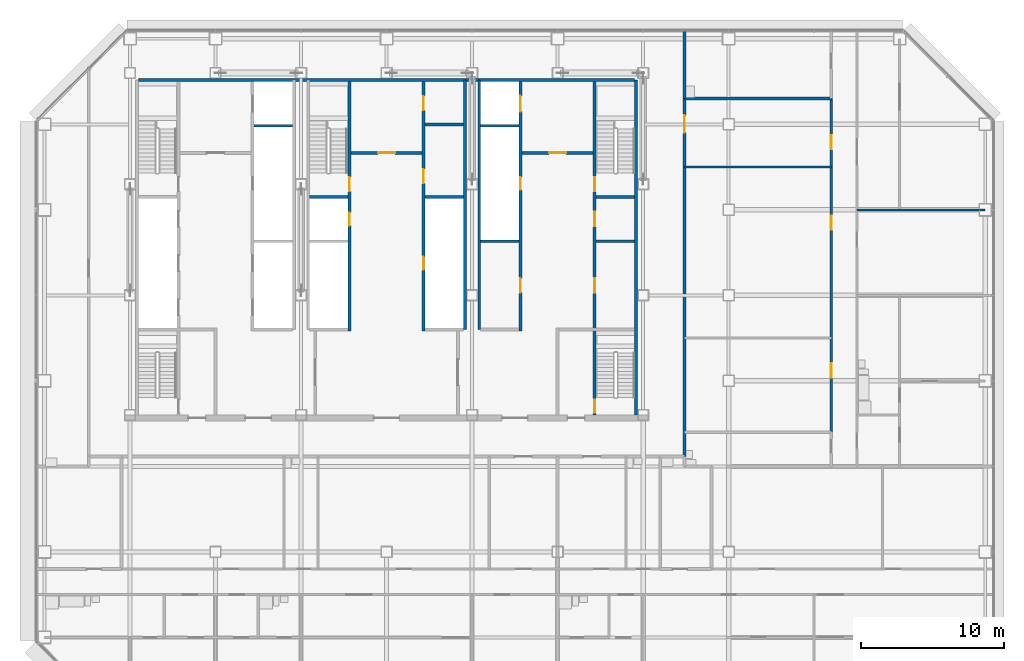
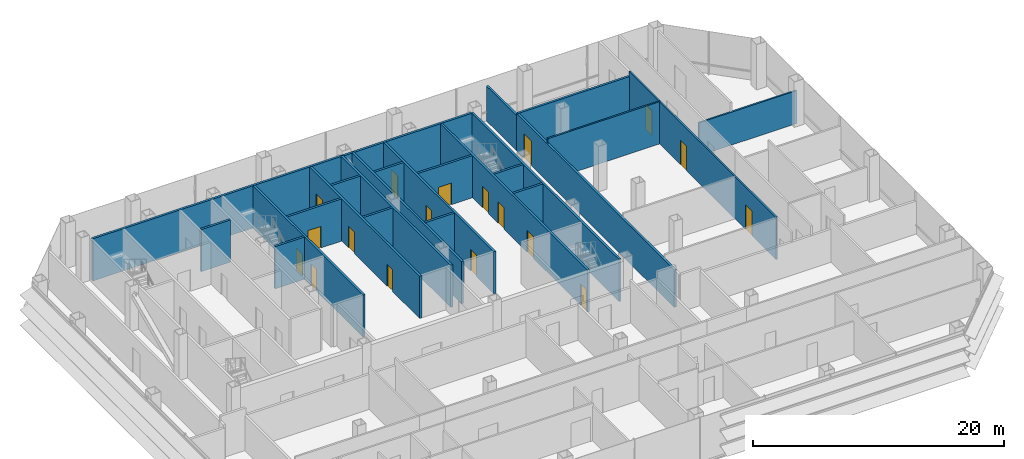
# One storey, part 23 of 27: 24 walls, 18 doors, 18 openings.
"""IFC4 building model written with IfcOpenShell, lengths in metres."""

from ifc_helpers import new_model, si_unit, direction, frame, frame_2d, origin, place, context, subcontext, project, spatial, rectangle, extrude, material, layer, layer_set, type_object, element, fill, save


model = new_model("IFC4")

# Units and contexts
model_context = context("Model", 3, precision=1e-05, world=origin(), true_north=direction((0.0, 1.0)))
body_context = subcontext(model_context, "Body", "Model", "MODEL_VIEW")
ifc_project = project(units=[si_unit("LENGTHUNIT", "METRE"), si_unit("AREAUNIT", "SQUARE_METRE"), si_unit("VOLUMEUNIT", "CUBIC_METRE"), si_unit("PLANEANGLEUNIT", "RADIAN"), si_unit("MASSUNIT", "GRAM", prefix="KILO")], contexts=[model_context])

# Site, building, storey
site_placement = place(None, origin())
site = spatial("IfcSite", under=ifc_project, at=site_placement, CompositionType="ELEMENT")
building_placement = place(site_placement, origin())
building = spatial("IfcBuilding", under=site, at=building_placement, Name="Sorahane Residences", CompositionType="ELEMENT")
storey_placement = place(building_placement, frame((0.0, 0.0, 85.800048828125)))
storey = spatial("IfcBuildingStorey", under=building, at=storey_placement, Name="L18", CompositionType="ELEMENT", Elevation=85.800048828125)

# Walls
ifc_material_1 = material(Name="Concrete C30", Category="concrete")
ifc_layer_1 = layer(ifc_material_1, 0.199951171875)
ifc_layer_set_1 = layer_set([ifc_layer_1], Name="Core face wall 200 EI 180")
wall_type_1 = type_object("IfcWallType", Name="Core face wall 200 EI 180", PredefinedType="SOLIDWALL", material=ifc_layer_set_1)
wall_1_placement = place(storey_placement, frame((41.5, 21.60009765625, 0.0), z_axis=(0.0, 0.0, 1.0), x_axis=(0.0, 1.0, 0.0)))
element("IfcWall", 1, at=wall_1_placement, inside=storey, type_object=wall_type_1, Name="L18 core face wall", PredefinedType="SOLIDWALL", context=body_context, shape_type="SweptSolid", body=[
    extrude(rectangle(XDim=23.5, YDim=0.199951171875, at=frame_2d((11.75, 0.0))), origin(), (0.0, 0.0, 1.0), 4.099853515625),
])
wall_2_placement = place(storey_placement, frame((6.60009765625, 45.10009765625, 0.0), z_axis=(0.0, 0.0, 1.0), x_axis=(1.0, 0.0, 0.0)))
element("IfcWall", 2, at=wall_2_placement, inside=storey, type_object=wall_type_1, Name="L18 core face wall", PredefinedType="SOLIDWALL", context=body_context, shape_type="SweptSolid", body=[
    extrude(rectangle(XDim=34.7998046875, YDim=0.199951171875, at=frame_2d((17.39990234375, 0.0))), origin(), (0.0, 0.0, 1.0), 4.099853515625),
])
for number, where, z_axis, x_axis, name in (
    (3, (29.5, 27.60009765625, 0.0), (0.0, 0.0, 1.0), (0.0, 1.0, 0.0), "L18 core face wall"),
    (4, (30.5, 27.60009765625, 0.0), (0.0, 0.0, 1.0), (0.0, 1.0, 0.0), "L18 core face wall"),
):
    element("IfcWall", number, at=place(storey_placement, frame(where, z_axis=z_axis, x_axis=x_axis)), inside=storey, type_object=wall_type_1, Name=name, PredefinedType="SOLIDWALL", context=body_context, shape_type="SweptSolid", body=[
        extrude(rectangle(XDim=17.5, YDim=0.199951171875, at=frame_2d((8.75, 0.0))), origin(), (0.0, 0.0, 1.0), 4.099853515625),
    ])

# Wall, opening, door
ifc_material_2 = material(Name="Concrete blockwork C20 wall", Category="masonry")
ifc_layer_2 = layer(ifc_material_2, 0.199951171875)
ifc_layer_set_2 = layer_set([ifc_layer_2], Name="Corridor wall 200 EI 120")
wall_type_2 = type_object("IfcWallType", Name="Corridor wall 200 EI 120", PredefinedType="SOLIDWALL", material=ifc_layer_set_2)
wall_3_placement = place(storey_placement, frame((44.89990234375, 18.699951171875, 0.0), z_axis=(0.0, 0.0, 1.0), x_axis=(0.0, 1.0, 0.0)))
wall_3 = element("IfcWall", 5, at=wall_3_placement, inside=storey, type_object=wall_type_2, Name="L18 corridor wall", PredefinedType="SOLIDWALL", context=body_context, shape_type="SweptSolid", body=[
    extrude(rectangle(XDim=25.10009765625, YDim=0.199951171875, at=frame_2d((12.550048828125, 0.0))), origin(), (0.0, 0.0, 1.0), 3.64990234375),
])
opening_1_placement = place(wall_3_placement, frame((22.719970703125, 0.0, 0.0)))
opening_1 = element("IfcOpeningElement", 6, at=opening_1_placement, cuts=wall_3, Name="Opening L18-42", PredefinedType="OPENING", context=body_context, shape_type="SweptSolid", body=[
    extrude(rectangle(XDim=1.199951171875, YDim=2.39990234375, at=frame_2d((0.60009765625, 1.199951171875))), frame((0.0, 0.10986328125, 0.0), z_axis=(0.0, -1.0, 0.0), x_axis=(1.0, 0.0, 0.0)), (0.0, 0.0, 1.0), 0.219970703125),
])
ifc_material_3 = material(Name="Timber veneered fire door", Category="wood")
door_type_1 = type_object("IfcDoorType", Name="Flat entrance door 1200x2400 FD60", OperationType="NOTDEFINED", PredefinedType="DOOR", material=ifc_material_3)
door_1_placement = place(opening_1_placement, frame((1.199951171875, 0.0, 0.0), z_axis=(0.0, 0.0, 1.0), x_axis=(-1.0, 0.0, 0.0)))
door_1 = element("IfcDoor", 7, at=door_1_placement, inside=storey, type_object=door_type_1, Name="Flat entrance door L18-42", OperationType="SINGLE_SWING_RIGHT", OverallHeight=2.39990234375, OverallWidth=1.199951171875, PredefinedType="DOOR", context=body_context, shape_type="SweptSolid", body=[
    extrude(rectangle(XDim=1.199951171875, YDim=2.39990234375, at=frame_2d((0.60009765625, 1.199951171875))), frame((0.0, 0.02490234375, 0.0), z_axis=(0.0, -1.0, 0.0), x_axis=(1.0, 0.0, 0.0)), (0.0, 0.0, 1.0), 0.050048828125),
])
fill(opening_1, door_1)

ifc_material_4 = material(Name="Concrete C30", Category="concrete")
ifc_layer_3 = layer(ifc_material_4, 0.199951171875)
ifc_layer_set_3 = layer_set([ifc_layer_3], Name="Front room wall 200 EI 120")
wall_type_3 = type_object("IfcWallType", Name="Front room wall 200 EI 120", PredefinedType="PARTITIONING", material=ifc_layer_set_3)
wall_4_placement = place(storey_placement, frame((21.5, 40.0, 0.0), z_axis=(0.0, 0.0, 1.0), x_axis=(1.0, 0.0, 0.0)))
wall_4 = element("IfcWall", 8, at=wall_4_placement, inside=storey, type_object=wall_type_3, Name="L18 front room wall", PredefinedType="PARTITIONING", context=body_context, shape_type="SweptSolid", body=[
    extrude(rectangle(XDim=5.0, YDim=0.199951171875, at=frame_2d((2.5, 0.0))), origin(), (0.0, 0.0, 1.0), 4.099853515625),
])
opening_2_placement = place(wall_4_placement, frame((1.89990234375, 0.0, 0.0)))
opening_2 = element("IfcOpeningElement", 9, at=opening_2_placement, cuts=wall_4, Name="Opening L18-C09", PredefinedType="OPENING", context=body_context, shape_type="SweptSolid", body=[
    extrude(rectangle(XDim=1.199951171875, YDim=2.10009765625, at=frame_2d((0.60009765625, 1.050048828125))), frame((0.0, 0.10986328125, 0.0), z_axis=(0.0, -1.0, 0.0), x_axis=(1.0, 0.0, 0.0)), (0.0, 0.0, 1.0), 0.219970703125),
])
ifc_material_5 = material(Name="Steel", Category="steel")
door_type_2 = type_object("IfcDoorType", Name="Front room door 1200x2100 FD120", OperationType="NOTDEFINED", PredefinedType="DOOR", material=ifc_material_5)
door_2_placement = place(opening_2_placement, frame((1.199951171875, 0.0, 0.0), z_axis=(0.0, 0.0, 1.0), x_axis=(-1.0, 0.0, 0.0)))
door_2 = element("IfcDoor", 10, at=door_2_placement, inside=storey, type_object=door_type_2, Name="Front room door Stair S3 vestibule L18", OperationType="DOUBLE_DOOR_SINGLE_SWING", OverallHeight=2.10009765625, OverallWidth=1.199951171875, PredefinedType="DOOR", context=body_context, shape_type="SweptSolid", body=[
    extrude(rectangle(XDim=1.199951171875, YDim=2.10009765625, at=frame_2d((0.60009765625, 1.050048828125))), frame((0.0, 0.02490234375, 0.0), z_axis=(0.0, -1.0, 0.0), x_axis=(1.0, 0.0, 0.0)), (0.0, 0.0, 1.0), 0.050048828125),
])
fill(opening_2, door_2)

wall_5_placement = place(storey_placement, frame((33.5, 40.0, 0.0), z_axis=(0.0, 0.0, 1.0), x_axis=(1.0, 0.0, 0.0)))
wall_5 = element("IfcWall", 11, at=wall_5_placement, inside=storey, type_object=wall_type_3, Name="L18 front room wall", PredefinedType="PARTITIONING", context=body_context, shape_type="SweptSolid", body=[
    extrude(rectangle(XDim=5.0, YDim=0.199951171875, at=frame_2d((2.5, 0.0))), origin(), (0.0, 0.0, 1.0), 4.099853515625),
])
opening_3_placement = place(wall_5_placement, frame((1.89990234375, 0.0, 0.0)))
opening_3 = element("IfcOpeningElement", 12, at=opening_3_placement, cuts=wall_5, Name="Opening L18-C10", PredefinedType="OPENING", context=body_context, shape_type="SweptSolid", body=[
    extrude(rectangle(XDim=1.199951171875, YDim=2.10009765625, at=frame_2d((0.60009765625, 1.050048828125))), frame((0.0, 0.10986328125, 0.0), z_axis=(0.0, -1.0, 0.0), x_axis=(1.0, 0.0, 0.0)), (0.0, 0.0, 1.0), 0.219970703125),
])
door_3_placement = place(opening_3_placement, frame((1.199951171875, 0.0, 0.0), z_axis=(0.0, 0.0, 1.0), x_axis=(-1.0, 0.0, 0.0)))
door_3 = element("IfcDoor", 13, at=door_3_placement, inside=storey, type_object=door_type_2, Name="Front room door Firefighting lobby FF2 front room L18", OperationType="DOUBLE_DOOR_SINGLE_SWING", OverallHeight=2.10009765625, OverallWidth=1.199951171875, PredefinedType="DOOR", context=body_context, shape_type="SweptSolid", body=[
    extrude(rectangle(XDim=1.199951171875, YDim=2.10009765625, at=frame_2d((0.60009765625, 1.050048828125))), frame((0.0, 0.02490234375, 0.0), z_axis=(0.0, -1.0, 0.0), x_axis=(1.0, 0.0, 0.0)), (0.0, 0.0, 1.0), 0.050048828125),
])
fill(opening_3, door_3)

# Walls
ifc_material_6 = material(Name="Concrete blockwork C20 wall", Category="masonry")
ifc_layer_4 = layer(ifc_material_6, 0.199951171875)
ifc_layer_set_4 = layer_set([ifc_layer_4], Name="Kitchen wall 200 EI 180")
wall_type_4 = type_object("IfcWallType", Name="Kitchen wall 200 EI 180", PredefinedType="SOLIDWALL", material=ifc_layer_set_4)
wall_6_placement = place(storey_placement, frame((44.89990234375, 43.800048828125, 0.0), z_axis=(0.0, 0.0, 1.0), x_axis=(0.0, 1.0, 0.0)))
element("IfcWall", 14, at=wall_6_placement, inside=storey, type_object=wall_type_4, Name="L18 kitchen wall", PredefinedType="SOLIDWALL", context=body_context, shape_type="SweptSolid", body=[
    extrude(rectangle(XDim=4.800048828125, YDim=0.199951171875, at=frame_2d((2.39990234375, 0.0))), origin(), (0.0, 0.0, 1.0), 3.39990234375),
])
wall_7_placement = place(storey_placement, frame((44.89990234375, 43.800048828125, 0.0), z_axis=(0.0, 0.0, 1.0), x_axis=(1.0, 0.0, 0.0)))
element("IfcWall", 15, at=wall_7_placement, inside=storey, type_object=wall_type_4, Name="L18 kitchen wall", PredefinedType="SOLIDWALL", context=body_context, shape_type="SweptSolid", body=[
    extrude(rectangle(XDim=10.300048828125, YDim=0.199951171875, at=frame_2d((5.14990234375, 0.0))), origin(), (0.0, 0.0, 1.0), 3.64990234375),
])

# Wall, openings, doors
ifc_material_7 = material(Name="Concrete C30", Category="concrete")
ifc_layer_5 = layer(ifc_material_7, 0.199951171875)
ifc_layer_set_5 = layer_set([ifc_layer_5], Name="Lift shaft wall 200 EI 120")
wall_type_5 = type_object("IfcWallType", Name="Lift shaft wall 200 EI 120", PredefinedType="SOLIDWALL", material=ifc_layer_set_5)
wall_8_placement = place(storey_placement, frame((33.39990234375, 27.5, 0.0), z_axis=(0.0, 0.0, 1.0), x_axis=(0.0, 1.0, 0.0)))
wall_8 = element("IfcWall", 16, at=wall_8_placement, inside=storey, type_object=wall_type_5, Name="L18 lift shaft wall", PredefinedType="SOLIDWALL", context=body_context, shape_type="SweptSolid", body=[
    extrude(rectangle(XDim=17.5, YDim=0.199951171875, at=frame_2d((8.75, 0.0))), origin(), (0.0, 0.0, 1.0), 4.099853515625),
])
opening_4_placement = place(wall_8_placement, frame((15.39990234375, 0.0, 0.0)))
opening_4 = element("IfcOpeningElement", 17, at=opening_4_placement, cuts=wall_8, Name="Opening L18-C11", PredefinedType="OPENING", context=body_context, shape_type="SweptSolid", body=[
    extrude(rectangle(XDim=1.10009765625, YDim=2.10009765625, at=frame_2d((0.550048828125, 1.050048828125))), frame((0.0, 0.10986328125, 0.0), z_axis=(0.0, -1.0, 0.0), x_axis=(1.0, 0.0, 0.0)), (0.0, 0.0, 1.0), 0.219970703125),
])
opening_5_placement = place(wall_8_placement, frame((2.699951171875, 0.0, 0.0)))
opening_5 = element("IfcOpeningElement", 18, at=opening_5_placement, cuts=wall_8, Name="Opening L18-C20", PredefinedType="OPENING", context=body_context, shape_type="SweptSolid", body=[
    extrude(rectangle(XDim=1.0, YDim=2.10009765625, at=frame_2d((0.5, 1.050048828125))), frame((0.0, 0.10986328125, 0.0), z_axis=(0.0, -1.0, 0.0), x_axis=(1.0, 0.0, 0.0)), (0.0, 0.0, 1.0), 0.219970703125),
])
opening_6_placement = place(wall_8_placement, frame((9.89990234375, 0.0, 0.0)))
opening_6 = element("IfcOpeningElement", 19, at=opening_6_placement, cuts=wall_8, Name="Opening L18-C27", PredefinedType="OPENING", context=body_context, shape_type="SweptSolid", body=[
    extrude(rectangle(XDim=0.89990234375, YDim=2.10009765625, at=frame_2d((0.449951171875, 1.050048828125))), frame((0.0, 0.10986328125, 0.0), z_axis=(0.0, -1.0, 0.0), x_axis=(1.0, 0.0, 0.0)), (0.0, 0.0, 1.0), 0.219970703125),
])
ifc_material_8 = material(Name="Aluminium and stainless steel", Category="steel")
door_type_3 = type_object("IfcDoorType", Name="Lift landing door 1100x2100 E 60", OperationType="NOTDEFINED", PredefinedType="DOOR", material=ifc_material_8)
door_4_placement = place(opening_4_placement, origin())
door_4 = element("IfcDoor", 20, at=door_4_placement, inside=storey, type_object=door_type_3, Name="Lift landing door FF2 L18", OperationType="DOUBLE_DOOR_SLIDING", OverallHeight=2.10009765625, OverallWidth=1.10009765625, PredefinedType="DOOR", context=body_context, shape_type="SweptSolid", body=[
    extrude(rectangle(XDim=1.10009765625, YDim=2.10009765625, at=frame_2d((0.550048828125, 1.050048828125))), frame((0.0, 0.02490234375, 0.0), z_axis=(0.0, -1.0, 0.0), x_axis=(1.0, 0.0, 0.0)), (0.0, 0.0, 1.0), 0.050048828125),
])
fill(opening_4, door_4)
ifc_material_9 = material(Name="Steel", Category="steel")
door_type_4 = type_object("IfcDoorType", Name="Riser door 900x2100 FD120", OperationType="NOTDEFINED", PredefinedType="DOOR", material=ifc_material_9)
door_5_placement = place(opening_6_placement, frame((0.89990234375, 0.0, 0.0), z_axis=(0.0, 0.0, 1.0), x_axis=(-1.0, 0.0, 0.0)))
door_5 = element("IfcDoor", 21, at=door_5_placement, inside=storey, type_object=door_type_4, Name="Riser door R2 L18", OperationType="SINGLE_SWING_LEFT", OverallHeight=2.10009765625, OverallWidth=0.89990234375, PredefinedType="DOOR", context=body_context, shape_type="SweptSolid", body=[
    extrude(rectangle(XDim=0.89990234375, YDim=2.10009765625, at=frame_2d((0.449951171875, 1.050048828125))), frame((0.0, 0.02490234375, 0.0), z_axis=(0.0, -1.0, 0.0), x_axis=(1.0, 0.0, 0.0)), (0.0, 0.0, 1.0), 0.050048828125),
])
fill(opening_6, door_5)
ifc_material_10 = material(Name="Steel", Category="steel")
door_type_5 = type_object("IfcDoorType", Name="Service room door 1000x2100 FD60", OperationType="NOTDEFINED", PredefinedType="DOOR", material=ifc_material_10)
door_6_placement = place(opening_5_placement, origin())
door_6 = element("IfcDoor", 22, at=door_6_placement, inside=storey, type_object=door_type_5, Name="Service room door Cinema room L18", OperationType="SINGLE_SWING_RIGHT", OverallHeight=2.10009765625, OverallWidth=1.0, PredefinedType="DOOR", context=body_context, shape_type="SweptSolid", body=[
    extrude(rectangle(XDim=1.0, YDim=2.10009765625, at=frame_2d((0.5, 1.050048828125))), frame((0.0, 0.02490234375, 0.0), z_axis=(0.0, -1.0, 0.0), x_axis=(1.0, 0.0, 0.0)), (0.0, 0.0, 1.0), 0.050048828125),
])
fill(opening_5, door_6)

# Walls
for number, where, z_axis, x_axis, name in (
    (23, (14.699951171875, 41.89990234375, 0.0), (0.0, 0.0, 1.0), (1.0, 0.0, 0.0), "L18 lift shaft wall"),
    (24, (30.60009765625, 41.89990234375, 0.0), (0.0, 0.0, 1.0), (1.0, 0.0, 0.0), "L18 lift shaft wall"),
):
    element("IfcWall", number, at=place(storey_placement, frame(where, z_axis=z_axis, x_axis=x_axis)), inside=storey, type_object=wall_type_5, Name=name, PredefinedType="SOLIDWALL", context=body_context, shape_type="SweptSolid", body=[
        extrude(rectangle(XDim=2.699951171875, YDim=0.199951171875, at=frame_2d((1.35009765625, 0.0))), origin(), (0.0, 0.0, 1.0), 4.099853515625),
    ])

# Wall, openings, doors
ifc_material_11 = material(Name="Gypsum board partition on steel studs", Category="steel")
ifc_layer_6 = layer(ifc_material_11, 0.14990234375)
ifc_layer_set_6 = layer_set([ifc_layer_6], Name="Partition 150 EI 90")
wall_type_6 = type_object("IfcWallType", Name="Partition 150 EI 90", PredefinedType="PARTITIONING", material=ifc_layer_set_6)
wall_9_placement = place(storey_placement, frame((55.199951171875, 20.39990234375, 0.0), z_axis=(0.0, 0.0, 1.0), x_axis=(0.0, 1.0, 0.0)))
wall_9 = element("IfcWall", 25, at=wall_9_placement, inside=storey, type_object=wall_type_6, Name="L18 partition", PredefinedType="PARTITIONING", context=body_context, shape_type="SweptSolid", body=[
    extrude(rectangle(XDim=23.400146484375, YDim=0.14990234375, at=frame_2d((11.7001953125, 0.0))), origin(), (0.0, 0.0, 1.0), 4.099853515625),
])
opening_7_placement = place(wall_9_placement, frame((19.840087890625, 0.0, 0.0)))
opening_7 = element("IfcOpeningElement", 26, at=opening_7_placement, cuts=wall_9, Name="Opening L18-28", PredefinedType="OPENING", context=body_context, shape_type="SweptSolid", body=[
    extrude(rectangle(XDim=1.0, YDim=2.39990234375, at=frame_2d((0.5, 1.199951171875))), frame((0.0, 0.0849609375, 0.0), z_axis=(0.0, -1.0, 0.0), x_axis=(1.0, 0.0, 0.0)), (0.0, 0.0, 1.0), 0.169921875),
])
opening_8_placement = place(wall_9_placement, frame((3.820068359375, 0.0, 0.0)))
opening_8 = element("IfcOpeningElement", 27, at=opening_8_placement, cuts=wall_9, Name="Opening L18-30", PredefinedType="OPENING", context=body_context, shape_type="SweptSolid", body=[
    extrude(rectangle(XDim=1.0, YDim=2.39990234375, at=frame_2d((0.5, 1.199951171875))), frame((0.0, 0.0849609375, 0.0), z_axis=(0.0, -1.0, 0.0), x_axis=(1.0, 0.0, 0.0)), (0.0, 0.0, 1.0), 0.169921875),
])
opening_9_placement = place(wall_9_placement, frame((14.199951171875, 0.0, 0.0)))
opening_9 = element("IfcOpeningElement", 28, at=opening_9_placement, cuts=wall_9, Name="Opening L18-31", PredefinedType="OPENING", context=body_context, shape_type="SweptSolid", body=[
    extrude(rectangle(XDim=1.0, YDim=2.39990234375, at=frame_2d((0.5, 1.199951171875))), frame((0.0, 0.0849609375, 0.0), z_axis=(0.0, -1.0, 0.0), x_axis=(1.0, 0.0, 0.0)), (0.0, 0.0, 1.0), 0.169921875),
])
ifc_material_12 = material(Name="Timber veneered fire door", Category="wood")
door_type_6 = type_object("IfcDoorType", Name="Room door 1000x2400 FD30", OperationType="NOTDEFINED", PredefinedType="DOOR", material=ifc_material_12)
door_7_placement = place(opening_7_placement, frame((1.0, 0.0, 0.0), z_axis=(0.0, 0.0, 1.0), x_axis=(-1.0, 0.0, 0.0)))
door_7 = element("IfcDoor", 29, at=door_7_placement, inside=storey, type_object=door_type_6, Name="Room door L18-28", OperationType="SINGLE_SWING_RIGHT", OverallHeight=2.39990234375, OverallWidth=1.0, PredefinedType="DOOR", context=body_context, shape_type="SweptSolid", body=[
    extrude(rectangle(XDim=1.0, YDim=2.39990234375, at=frame_2d((0.5, 1.199951171875))), frame((0.0, 0.02490234375, 0.0), z_axis=(0.0, -1.0, 0.0), x_axis=(1.0, 0.0, 0.0)), (0.0, 0.0, 1.0), 0.050048828125),
])
fill(opening_7, door_7)
door_8_placement = place(opening_8_placement, origin())
door_8 = element("IfcDoor", 30, at=door_8_placement, inside=storey, type_object=door_type_6, Name="Room door L18-30", OperationType="SINGLE_SWING_LEFT", OverallHeight=2.39990234375, OverallWidth=1.0, PredefinedType="DOOR", context=body_context, shape_type="SweptSolid", body=[
    extrude(rectangle(XDim=1.0, YDim=2.39990234375, at=frame_2d((0.5, 1.199951171875))), frame((0.0, 0.02490234375, 0.0), z_axis=(0.0, -1.0, 0.0), x_axis=(1.0, 0.0, 0.0)), (0.0, 0.0, 1.0), 0.050048828125),
])
fill(opening_8, door_8)
door_9_placement = place(opening_9_placement, origin())
door_9 = element("IfcDoor", 31, at=door_9_placement, inside=storey, type_object=door_type_6, Name="Room door L18-31", OperationType="SINGLE_SWING_RIGHT", OverallHeight=2.39990234375, OverallWidth=1.0, PredefinedType="DOOR", context=body_context, shape_type="SweptSolid", body=[
    extrude(rectangle(XDim=1.0, YDim=2.39990234375, at=frame_2d((0.5, 1.199951171875))), frame((0.0, 0.02490234375, 0.0), z_axis=(0.0, -1.0, 0.0), x_axis=(1.0, 0.0, 0.0)), (0.0, 0.0, 1.0), 0.050048828125),
])
fill(opening_9, door_9)

# Walls
wall_10_placement = place(storey_placement, frame((57.0, 36.0, 0.0), z_axis=(0.0, 0.0, 1.0), x_axis=(1.0, 0.0, 0.0)))
element("IfcWall", 32, at=wall_10_placement, inside=storey, type_object=wall_type_6, Name="L18 partition", PredefinedType="PARTITIONING", context=body_context, shape_type="SweptSolid", body=[
    extrude(rectangle(XDim=9.0, YDim=0.14990234375, at=frame_2d((4.5, 0.0))), origin(), (0.0, 0.0, 1.0), 3.199951171875),
])
wall_11_placement = place(storey_placement, frame((44.89990234375, 39.0, 0.0), z_axis=(0.0, 0.0, 1.0), x_axis=(1.0, 0.0, 0.0)))
element("IfcWall", 33, at=wall_11_placement, inside=storey, type_object=wall_type_6, Name="L18 partition", PredefinedType="PARTITIONING", context=body_context, shape_type="SweptSolid", body=[
    extrude(rectangle(XDim=10.300048828125, YDim=0.14990234375, at=frame_2d((5.14990234375, 0.0))), origin(), (0.0, 0.0, 1.0), 4.099853515625),
])

# Wall, openings, doors
ifc_material_13 = material(Name="Concrete C30", Category="concrete")
ifc_layer_7 = layer(ifc_material_13, 0.199951171875)
ifc_layer_set_7 = layer_set([ifc_layer_7], Name="Riser shaft wall 200 EI 120")
wall_type_7 = type_object("IfcWallType", Name="Riser shaft wall 200 EI 120", PredefinedType="SOLIDWALL", material=ifc_layer_set_7)
wall_12_placement = place(storey_placement, frame((26.60009765625, 27.5, 0.0), z_axis=(0.0, 0.0, 1.0), x_axis=(0.0, 1.0, 0.0)))
wall_12 = element("IfcWall", 34, at=wall_12_placement, inside=storey, type_object=wall_type_7, Name="L18 riser wall", PredefinedType="SOLIDWALL", context=body_context, shape_type="SweptSolid", body=[
    extrude(rectangle(XDim=17.5, YDim=0.199951171875, at=frame_2d((8.75, 0.0))), origin(), (0.0, 0.0, 1.0), 4.099853515625),
])
opening_10_placement = place(wall_12_placement, frame((4.300048828125, 0.0, 0.0)))
opening_10 = element("IfcOpeningElement", 35, at=opening_10_placement, cuts=wall_12, Name="Opening L18-C29", PredefinedType="OPENING", context=body_context, shape_type="SweptSolid", body=[
    extrude(rectangle(XDim=0.89990234375, YDim=2.10009765625, at=frame_2d((0.449951171875, 1.050048828125))), frame((0.0, 0.10986328125, 0.0), z_axis=(0.0, -1.0, 0.0), x_axis=(1.0, 0.0, 0.0)), (0.0, 0.0, 1.0), 0.219970703125),
])
opening_11_placement = place(wall_12_placement, frame((10.35009765625, 0.0, 0.0)))
opening_11 = element("IfcOpeningElement", 36, at=opening_11_placement, cuts=wall_12, Name="Opening L18-C30", PredefinedType="OPENING", context=body_context, shape_type="SweptSolid", body=[
    extrude(rectangle(XDim=1.0, YDim=2.10009765625, at=frame_2d((0.5, 1.050048828125))), frame((0.0, 0.10986328125, 0.0), z_axis=(0.0, -1.0, 0.0), x_axis=(1.0, 0.0, 0.0)), (0.0, 0.0, 1.0), 0.219970703125),
])
opening_12_placement = place(wall_12_placement, frame((15.47509765625, 0.0, 0.0)))
opening_12 = element("IfcOpeningElement", 37, at=opening_12_placement, cuts=wall_12, Name="Opening L18-C31", PredefinedType="OPENING", context=body_context, shape_type="SweptSolid", body=[
    extrude(rectangle(XDim=1.0, YDim=2.10009765625, at=frame_2d((0.5, 1.050048828125))), frame((0.0, 0.10986328125, 0.0), z_axis=(0.0, -1.0, 0.0), x_axis=(1.0, 0.0, 0.0)), (0.0, 0.0, 1.0), 0.219970703125),
])
door_10_placement = place(opening_10_placement, origin())
door_10 = element("IfcDoor", 38, at=door_10_placement, inside=storey, type_object=door_type_4, Name="Riser door R4 L18", OperationType="SINGLE_SWING_LEFT", OverallHeight=2.10009765625, OverallWidth=0.89990234375, PredefinedType="DOOR", context=body_context, shape_type="SweptSolid", body=[
    extrude(rectangle(XDim=0.89990234375, YDim=2.10009765625, at=frame_2d((0.449951171875, 1.050048828125))), frame((0.0, 0.02490234375, 0.0), z_axis=(0.0, -1.0, 0.0), x_axis=(1.0, 0.0, 0.0)), (0.0, 0.0, 1.0), 0.050048828125),
])
fill(opening_10, door_10)
door_11_placement = place(opening_11_placement, frame((1.0, 0.0, 0.0), z_axis=(0.0, 0.0, 1.0), x_axis=(-1.0, 0.0, 0.0)))
door_11 = element("IfcDoor", 39, at=door_11_placement, inside=storey, type_object=door_type_5, Name="Service room door Parcel room L18", OperationType="SINGLE_SWING_LEFT", OverallHeight=2.10009765625, OverallWidth=1.0, PredefinedType="DOOR", context=body_context, shape_type="SweptSolid", body=[
    extrude(rectangle(XDim=1.0, YDim=2.10009765625, at=frame_2d((0.5, 1.050048828125))), frame((0.0, 0.02490234375, 0.0), z_axis=(0.0, -1.0, 0.0), x_axis=(1.0, 0.0, 0.0)), (0.0, 0.0, 1.0), 0.050048828125),
])
fill(opening_11, door_11)
door_12_placement = place(opening_12_placement, frame((1.0, 0.0, 0.0), z_axis=(0.0, 0.0, 1.0), x_axis=(-1.0, 0.0, 0.0)))
door_12 = element("IfcDoor", 40, at=door_12_placement, inside=storey, type_object=door_type_5, Name="Service room door Refuse room L18", OperationType="SINGLE_SWING_RIGHT", OverallHeight=2.10009765625, OverallWidth=1.0, PredefinedType="DOOR", context=body_context, shape_type="SweptSolid", body=[
    extrude(rectangle(XDim=1.0, YDim=2.10009765625, at=frame_2d((0.5, 1.050048828125))), frame((0.0, 0.02490234375, 0.0), z_axis=(0.0, -1.0, 0.0), x_axis=(1.0, 0.0, 0.0)), (0.0, 0.0, 1.0), 0.050048828125),
])
fill(opening_12, door_12)

# Walls
for number, where, z_axis, x_axis, name in (
    (41, (30.60009765625, 33.800048828125, 0.0), (0.0, 0.0, 1.0), (1.0, 0.0, 0.0), "L18 riser wall"),
    (42, (26.699951171875, 36.89990234375, 0.0), (0.0, 0.0, 1.0), (1.0, 0.0, 0.0), "L18 riser wall"),
):
    element("IfcWall", number, at=place(storey_placement, frame(where, z_axis=z_axis, x_axis=x_axis)), inside=storey, type_object=wall_type_7, Name=name, PredefinedType="SOLIDWALL", context=body_context, shape_type="SweptSolid", body=[
        extrude(rectangle(XDim=2.699951171875, YDim=0.199951171875, at=frame_2d((1.35009765625, 0.0))), origin(), (0.0, 0.0, 1.0), 4.099853515625),
    ])
ifc_material_14 = material(Name="Concrete C30", Category="concrete")
ifc_layer_8 = layer(ifc_material_14, 0.199951171875)
ifc_layer_set_8 = layer_set([ifc_layer_8], Name="Service room partition 200 EI 60")
wall_type_8 = type_object("IfcWallType", Name="Service room partition 200 EI 60", PredefinedType="PARTITIONING", material=ifc_layer_set_8)
for number, where, z_axis, x_axis, name in (
    (43, (38.699951171875, 33.800048828125, 0.0), (0.0, 0.0, 1.0), (1.0, 0.0, 0.0), "L18 service room wall"),
    (44, (26.699951171875, 42.0, 0.0), (0.0, 0.0, 1.0), (1.0, 0.0, 0.0), "L18 service room wall"),
):
    element("IfcWall", number, at=place(storey_placement, frame(where, z_axis=z_axis, x_axis=x_axis)), inside=storey, type_object=wall_type_8, Name=name, PredefinedType="PARTITIONING", context=body_context, shape_type="SweptSolid", body=[
        extrude(rectangle(XDim=2.699951171875, YDim=0.199951171875, at=frame_2d((1.35009765625, 0.0))), origin(), (0.0, 0.0, 1.0), 4.099853515625),
    ])

# Wall, openings, doors
ifc_material_15 = material(Name="Concrete C30", Category="concrete")
ifc_layer_9 = layer(ifc_material_15, 0.199951171875)
ifc_layer_set_9 = layer_set([ifc_layer_9], Name="Stair enclosure wall 200 EI 120")
wall_type_9 = type_object("IfcWallType", Name="Stair enclosure wall 200 EI 120", PredefinedType="SOLIDWALL", material=ifc_layer_set_9)
wall_13_placement = place(storey_placement, frame((21.39990234375, 27.5, 0.0), z_axis=(0.0, 0.0, 1.0), x_axis=(0.0, 1.0, 0.0)))
wall_13 = element("IfcWall", 45, at=wall_13_placement, inside=storey, type_object=wall_type_9, Name="L18 stair enclosure wall", PredefinedType="SOLIDWALL", context=body_context, shape_type="SweptSolid", body=[
    extrude(rectangle(XDim=17.5, YDim=0.199951171875, at=frame_2d((8.75, 0.0))), origin(), (0.0, 0.0, 1.0), 4.099853515625),
])
opening_13_placement = place(wall_13_placement, frame((9.800048828125, 0.0, 0.0)))
opening_13 = element("IfcOpeningElement", 46, at=opening_13_placement, cuts=wall_13, Name="Opening L18-C23", PredefinedType="OPENING", context=body_context, shape_type="SweptSolid", body=[
    extrude(rectangle(XDim=1.0, YDim=2.10009765625, at=frame_2d((0.5, 1.050048828125))), frame((0.0, 0.10986328125, 0.0), z_axis=(0.0, -1.0, 0.0), x_axis=(1.0, 0.0, 0.0)), (0.0, 0.0, 1.0), 0.219970703125),
])
opening_14_placement = place(wall_13_placement, frame((7.39990234375, 0.0, 0.0)))
opening_14 = element("IfcOpeningElement", 47, at=opening_14_placement, cuts=wall_13, Name="Opening L18-C28", PredefinedType="OPENING", context=body_context, shape_type="SweptSolid", body=[
    extrude(rectangle(XDim=0.89990234375, YDim=2.10009765625, at=frame_2d((0.449951171875, 1.050048828125))), frame((0.0, 0.10986328125, 0.0), z_axis=(0.0, -1.0, 0.0), x_axis=(1.0, 0.0, 0.0)), (0.0, 0.0, 1.0), 0.219970703125),
])
door_13_placement = place(opening_14_placement, frame((0.89990234375, 0.0, 0.0), z_axis=(0.0, 0.0, 1.0), x_axis=(-1.0, 0.0, 0.0)))
door_13 = element("IfcDoor", 48, at=door_13_placement, inside=storey, type_object=door_type_4, Name="Riser door R3 L18", OperationType="SINGLE_SWING_LEFT", OverallHeight=2.10009765625, OverallWidth=0.89990234375, PredefinedType="DOOR", context=body_context, shape_type="SweptSolid", body=[
    extrude(rectangle(XDim=0.89990234375, YDim=2.10009765625, at=frame_2d((0.449951171875, 1.050048828125))), frame((0.0, 0.02490234375, 0.0), z_axis=(0.0, -1.0, 0.0), x_axis=(1.0, 0.0, 0.0)), (0.0, 0.0, 1.0), 0.050048828125),
])
fill(opening_14, door_13)
ifc_material_16 = material(Name="Steel", Category="steel")
door_type_7 = type_object("IfcDoorType", Name="Stair door 1000x2100 FD120", OperationType="NOTDEFINED", PredefinedType="DOOR", material=ifc_material_16)
door_14_placement = place(opening_13_placement, origin())
door_14 = element("IfcDoor", 49, at=door_14_placement, inside=storey, type_object=door_type_7, Name="Stair door S3 L18", OperationType="SINGLE_SWING_LEFT", OverallHeight=2.10009765625, OverallWidth=1.0, PredefinedType="DOOR", context=body_context, shape_type="SweptSolid", body=[
    extrude(rectangle(XDim=1.0, YDim=2.10009765625, at=frame_2d((0.5, 1.050048828125))), frame((0.0, 0.02490234375, 0.0), z_axis=(0.0, -1.0, 0.0), x_axis=(1.0, 0.0, 0.0)), (0.0, 0.0, 1.0), 0.050048828125),
])
fill(opening_13, door_14)

wall_14_placement = place(storey_placement, frame((38.60009765625, 21.60009765625, 0.0), z_axis=(0.0, 0.0, 1.0), x_axis=(0.0, 1.0, 0.0)))
wall_14 = element("IfcWall", 50, at=wall_14_placement, inside=storey, type_object=wall_type_9, Name="L18 stair enclosure wall", PredefinedType="SOLIDWALL", context=body_context, shape_type="SweptSolid", body=[
    extrude(rectangle(XDim=23.39990234375, YDim=0.199951171875, at=frame_2d((11.699951171875, 0.0))), origin(), (0.0, 0.0, 1.0), 4.099853515625),
])
opening_15_placement = place(wall_14_placement, frame((8.60009765625, 0.0, 0.0)))
opening_15 = element("IfcOpeningElement", 51, at=opening_15_placement, cuts=wall_14, Name="Opening L18-C18", PredefinedType="OPENING", context=body_context, shape_type="SweptSolid", body=[
    extrude(rectangle(XDim=1.0, YDim=2.10009765625, at=frame_2d((0.5, 1.050048828125))), frame((0.0, 0.10986328125, 0.0), z_axis=(0.0, -1.0, 0.0), x_axis=(1.0, 0.0, 0.0)), (0.0, 0.0, 1.0), 0.219970703125),
])
opening_16_placement = place(wall_14_placement, frame((13.25, 0.0, 0.0)))
opening_16 = element("IfcOpeningElement", 52, at=opening_16_placement, cuts=wall_14, Name="Opening L18-C19", PredefinedType="OPENING", context=body_context, shape_type="SweptSolid", body=[
    extrude(rectangle(XDim=1.0, YDim=2.10009765625, at=frame_2d((0.5, 1.050048828125))), frame((0.0, 0.10986328125, 0.0), z_axis=(0.0, -1.0, 0.0), x_axis=(1.0, 0.0, 0.0)), (0.0, 0.0, 1.0), 0.219970703125),
])
opening_17_placement = place(wall_14_placement, frame((15.699951171875, 0.0, 0.0)))
opening_17 = element("IfcOpeningElement", 53, at=opening_17_placement, cuts=wall_14, Name="Opening L18-C22", PredefinedType="OPENING", context=body_context, shape_type="SweptSolid", body=[
    extrude(rectangle(XDim=1.0, YDim=2.10009765625, at=frame_2d((0.5, 1.050048828125))), frame((0.0, 0.10986328125, 0.0), z_axis=(0.0, -1.0, 0.0), x_axis=(1.0, 0.0, 0.0)), (0.0, 0.0, 1.0), 0.219970703125),
])
opening_18_placement = place(wall_14_placement, frame((0.175048828125, 0.0, 0.0)))
opening_18 = element("IfcOpeningElement", 54, at=opening_18_placement, cuts=wall_14, Name="Opening L18-C25", PredefinedType="OPENING", context=body_context, shape_type="SweptSolid", body=[
    extrude(rectangle(XDim=0.89990234375, YDim=2.10009765625, at=frame_2d((0.449951171875, 1.050048828125))), frame((0.0, 0.10986328125, 0.0), z_axis=(0.0, -1.0, 0.0), x_axis=(1.0, 0.0, 0.0)), (0.0, 0.0, 1.0), 0.219970703125),
])
door_15_placement = place(opening_15_placement, frame((1.0, 0.0, 0.0), z_axis=(0.0, 0.0, 1.0), x_axis=(-1.0, 0.0, 0.0)))
door_15 = element("IfcDoor", 55, at=door_15_placement, inside=storey, type_object=door_type_5, Name="Service room door Cinema room L18", OperationType="SINGLE_SWING_RIGHT", OverallHeight=2.10009765625, OverallWidth=1.0, PredefinedType="DOOR", context=body_context, shape_type="SweptSolid", body=[
    extrude(rectangle(XDim=1.0, YDim=2.10009765625, at=frame_2d((0.5, 1.050048828125))), frame((0.0, 0.02490234375, 0.0), z_axis=(0.0, -1.0, 0.0), x_axis=(1.0, 0.0, 0.0)), (0.0, 0.0, 1.0), 0.050048828125),
])
fill(opening_15, door_15)
door_16_placement = place(opening_16_placement, frame((1.0, 0.0, 0.0), z_axis=(0.0, 0.0, 1.0), x_axis=(-1.0, 0.0, 0.0)))
door_16 = element("IfcDoor", 56, at=door_16_placement, inside=storey, type_object=door_type_5, Name="Service room door Archive L18", OperationType="SINGLE_SWING_LEFT", OverallHeight=2.10009765625, OverallWidth=1.0, PredefinedType="DOOR", context=body_context, shape_type="SweptSolid", body=[
    extrude(rectangle(XDim=1.0, YDim=2.10009765625, at=frame_2d((0.5, 1.050048828125))), frame((0.0, 0.02490234375, 0.0), z_axis=(0.0, -1.0, 0.0), x_axis=(1.0, 0.0, 0.0)), (0.0, 0.0, 1.0), 0.050048828125),
])
fill(opening_16, door_16)
door_17_placement = place(opening_17_placement, frame((1.0, 0.0, 0.0), z_axis=(0.0, 0.0, 1.0), x_axis=(-1.0, 0.0, 0.0)))
door_17 = element("IfcDoor", 57, at=door_17_placement, inside=storey, type_object=door_type_7, Name="Stair door S2 L18", OperationType="SINGLE_SWING_LEFT", OverallHeight=2.10009765625, OverallWidth=1.0, PredefinedType="DOOR", context=body_context, shape_type="SweptSolid", body=[
    extrude(rectangle(XDim=1.0, YDim=2.10009765625, at=frame_2d((0.5, 1.050048828125))), frame((0.0, 0.02490234375, 0.0), z_axis=(0.0, -1.0, 0.0), x_axis=(1.0, 0.0, 0.0)), (0.0, 0.0, 1.0), 0.050048828125),
])
fill(opening_17, door_17)
ifc_material_17 = material(Name="Steel", Category="steel")
door_type_8 = type_object("IfcDoorType", Name="Stair door 900x2100 FD120", OperationType="NOTDEFINED", PredefinedType="DOOR", material=ifc_material_17)
door_18_placement = place(opening_18_placement, frame((0.89990234375, 0.0, 0.0), z_axis=(0.0, 0.0, 1.0), x_axis=(-1.0, 0.0, 0.0)))
door_18 = element("IfcDoor", 58, at=door_18_placement, inside=storey, type_object=door_type_8, Name="Stair door S5 L18", OperationType="SINGLE_SWING_LEFT", OverallHeight=2.10009765625, OverallWidth=0.89990234375, PredefinedType="DOOR", context=body_context, shape_type="SweptSolid", body=[
    extrude(rectangle(XDim=0.89990234375, YDim=2.10009765625, at=frame_2d((0.449951171875, 1.050048828125))), frame((0.0, 0.02490234375, 0.0), z_axis=(0.0, -1.0, 0.0), x_axis=(1.0, 0.0, 0.0)), (0.0, 0.0, 1.0), 0.050048828125),
])
fill(opening_18, door_18)

# Walls
for number, where, z_axis, x_axis, name in (
    (59, (18.60009765625, 36.89990234375, 0.0), (0.0, 0.0, 1.0), (1.0, 0.0, 0.0), "L18 stair enclosure wall"),
    (60, (38.699951171875, 36.89990234375, 0.0), (0.0, 0.0, 1.0), (1.0, 0.0, 0.0), "L18 stair enclosure wall"),
):
    element("IfcWall", number, at=place(storey_placement, frame(where, z_axis=z_axis, x_axis=x_axis)), inside=storey, type_object=wall_type_9, Name=name, PredefinedType="SOLIDWALL", context=body_context, shape_type="SweptSolid", body=[
        extrude(rectangle(XDim=2.699951171875, YDim=0.199951171875, at=frame_2d((1.35009765625, 0.0))), origin(), (0.0, 0.0, 1.0), 4.099853515625),
    ])

save(model, "model.ifc")
